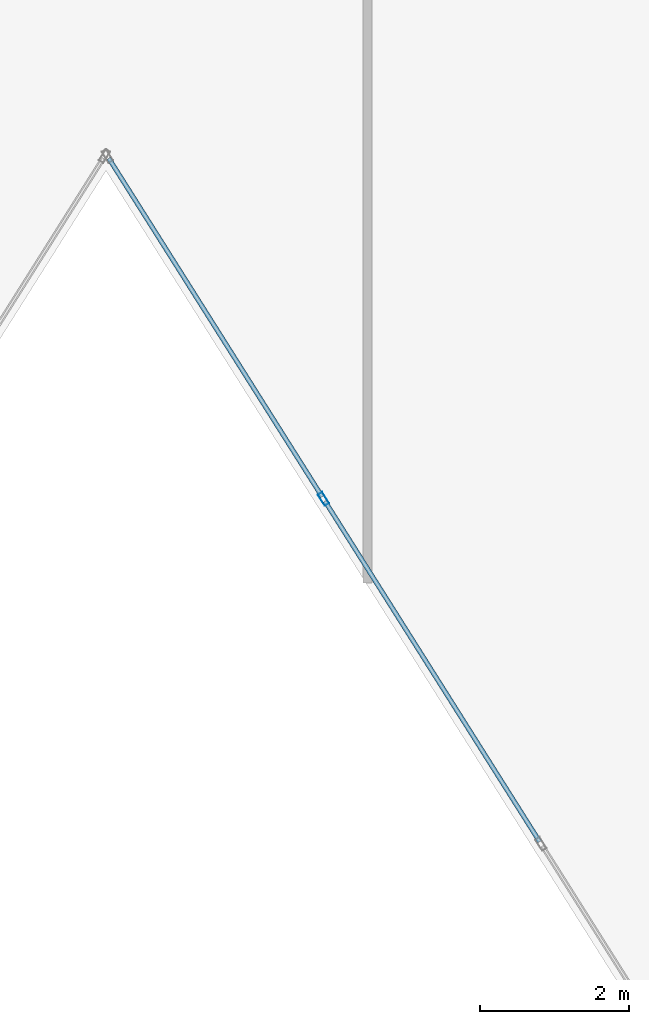
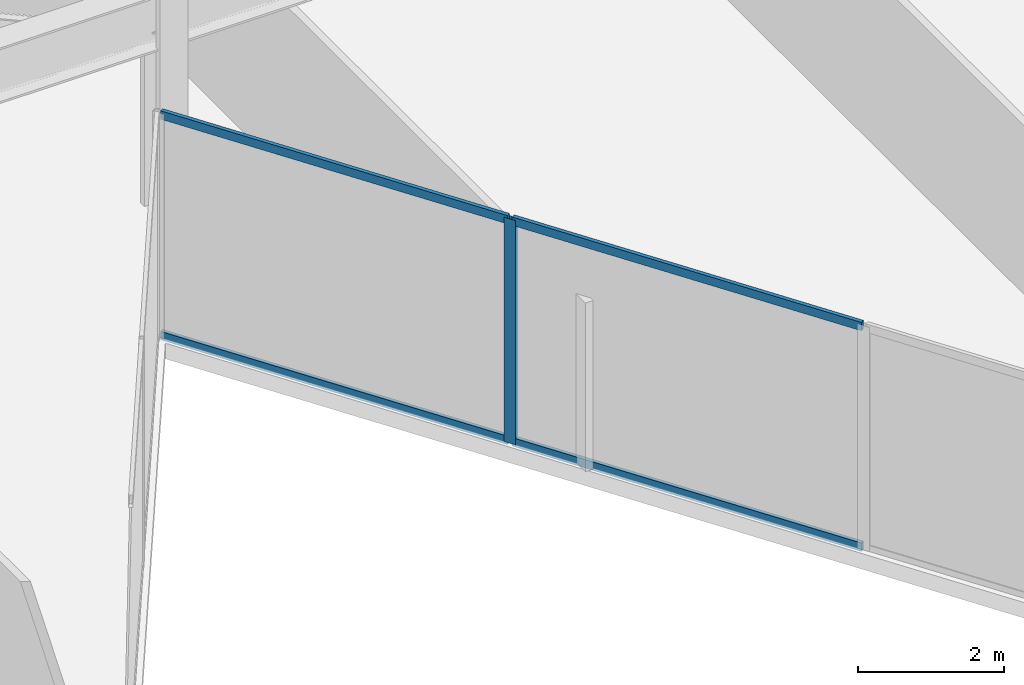
# One storey, part 15 of 25: 5 members, 1 element without a shape of its own.
"""IFC4 building model written with IfcOpenShell, lengths in metres."""

from ifc_helpers import new_model, si_unit, direction, frame, origin, origin_2d, place, context, subcontext, project, spatial, hollow_rectangle, extrude, material, layer, layer_set, material_profile, profile_set, type_object, element, aggregate, save


model = new_model("IFC4")

# Units and contexts
model_context = context("Model", 3, precision=1e-05, world=origin(), true_north=direction((0.0, 1.0)))
body_context = subcontext(model_context, "Body", "Model", "MODEL_VIEW")
ifc_project = project(units=[si_unit("LENGTHUNIT", "METRE"), si_unit("AREAUNIT", "SQUARE_METRE"), si_unit("VOLUMEUNIT", "CUBIC_METRE"), si_unit("PLANEANGLEUNIT", "RADIAN"), si_unit("MASSUNIT", "GRAM", prefix="KILO")], contexts=[model_context])

# Site, building, storey
site_placement = place(None, origin())
site = spatial("IfcSite", under=ifc_project, at=site_placement, CompositionType="ELEMENT")
building_placement = place(site_placement, origin())
building = spatial("IfcBuilding", under=site, at=building_placement, Name="Kravanh Interchange Tower", CompositionType="ELEMENT")
storey_placement = place(building_placement, frame((0.0, 0.0, 57.5)))
storey = spatial("IfcBuildingStorey", under=building, at=storey_placement, Name="L13", CompositionType="ELEMENT", Elevation=57.5)

# Curtain wall, members
ifc_material_1 = material(Name="Anodised Bronze Aluminium", Category="aluminium")
ifc_layer = layer(ifc_material_1, 0.179931640625)
ifc_layer_set = layer_set([ifc_layer], Name="Unitised Curtain Wall System CW-Z1 Lower Office")
curtain_wall_type = type_object("IfcCurtainWallType", Name="Unitised Curtain Wall System CW-Z1 Lower Office", PredefinedType="NOTDEFINED", material=ifc_layer_set)
curtain_wall_placement = place(storey_placement, origin())
curtain_wall = element("IfcCurtainWall", 1, at=curtain_wall_placement, inside=storey, type_object=curtain_wall_type, Name="L13 Unitised Curtain Wall CW-L13-04", PredefinedType="NOTDEFINED")
ifc_material_2 = material(Name="Anodised Bronze Aluminium", Category="aluminium")
ifc_material_profile_1 = material_profile(ifc_material_2, hollow_rectangle(XDim=0.070068359375, YDim=0.179931640625, WallThickness=0.00390625, at=origin_2d()), Name="ALU70X180X4")
ifc_profile_set_1 = profile_set([ifc_material_profile_1], Name="Anodised Bronze Aluminium")
member_type_1 = type_object("IfcMemberType", Name="Curtain Wall Mullion ALU70X180X4 Bronze", PredefinedType="MULLION", material=ifc_profile_set_1)
member_1_placement = place(storey_placement, frame((39.913330078125, 19.60400390625, 0.0), z_axis=(0.0, 0.0, 1.0), x_axis=(-0.845925530786, -0.53330103728, 0.0)))
member_1 = element("IfcMember", 2, at=member_1_placement, type_object=member_type_1, Name="CW-Z1 mullion 5", PredefinedType="MULLION", context=body_context, shape_type="SweptSolid", body=[
    extrude(hollow_rectangle(XDim=0.070068359375, YDim=0.179931640625, WallThickness=0.00390625, at=origin_2d()), origin(), (0.0, 0.0, 1.0), 3.739990234375),
])
ifc_material_3 = material(Name="Anodised Bronze Aluminium", Category="aluminium")
ifc_material_profile_2 = material_profile(ifc_material_3, hollow_rectangle(XDim=0.06005859375, YDim=0.139892578125, WallThickness=0.00390625, at=origin_2d()), Name="ALU60X140X4")
ifc_profile_set_2 = profile_set([ifc_material_profile_2], Name="Anodised Bronze Aluminium")
member_type_2 = type_object("IfcMemberType", Name="Curtain Wall Transom ALU60X140X4 Bronze", PredefinedType="USERDEFINED", material=ifc_profile_set_2)
member_2_placement = place(storey_placement, frame((42.807861328125, 15.0126953125, 0.030029296875), z_axis=(-0.533311487456, 0.84591894254, 0.0), x_axis=(-0.84591894254, -0.533311487456, 0.0)))
member_2 = element("IfcMember", 3, at=member_2_placement, type_object=member_type_2, Name="CW-Z1 transom 4.1", ObjectType="TRANSOM", PredefinedType="USERDEFINED", context=body_context, shape_type="SweptSolid", body=[
    extrude(hollow_rectangle(XDim=0.06005859375, YDim=0.139892578125, WallThickness=0.00390625, at=origin_2d()), origin(), (0.0, 0.0, 1.0), 5.392578125),
])
member_3_placement = place(storey_placement, frame((42.807861328125, 15.0126953125, 3.7099609375), z_axis=(-0.533311487456, 0.84591894254, 0.0), x_axis=(-0.84591894254, -0.533311487456, 0.0)))
member_3 = element("IfcMember", 4, at=member_3_placement, type_object=member_type_2, Name="CW-Z1 transom 4.2", ObjectType="TRANSOM", PredefinedType="USERDEFINED", context=body_context, shape_type="SweptSolid", body=[
    extrude(hollow_rectangle(XDim=0.06005859375, YDim=0.139892578125, WallThickness=0.00390625, at=origin_2d()), origin(), (0.0, 0.0, 1.0), 5.392578125),
])
member_4_placement = place(storey_placement, frame((39.89453125, 19.633544921875, 0.030029296875), z_axis=(-0.533288163518, 0.845933646719, 0.0), x_axis=(-0.845933646719, -0.533288163518, 0.0)))
member_4 = element("IfcMember", 5, at=member_4_placement, type_object=member_type_2, Name="CW-Z1 transom 5.1", ObjectType="TRANSOM", PredefinedType="USERDEFINED", context=body_context, shape_type="SweptSolid", body=[
    extrude(hollow_rectangle(XDim=0.06005859375, YDim=0.139892578125, WallThickness=0.00390625, at=origin_2d()), origin(), (0.0, 0.0, 1.0), 5.357666015625),
])
member_5_placement = place(storey_placement, frame((39.89453125, 19.633544921875, 3.7099609375), z_axis=(-0.533288163518, 0.845933646719, 0.0), x_axis=(-0.845933646719, -0.533288163518, 0.0)))
member_5 = element("IfcMember", 6, at=member_5_placement, type_object=member_type_2, Name="CW-Z1 transom 5.2", ObjectType="TRANSOM", PredefinedType="USERDEFINED", context=body_context, shape_type="SweptSolid", body=[
    extrude(hollow_rectangle(XDim=0.06005859375, YDim=0.139892578125, WallThickness=0.00390625, at=origin_2d()), origin(), (0.0, 0.0, 1.0), 5.357666015625),
])
aggregate(curtain_wall, [member_1, member_2, member_3, member_4, member_5])

save(model, "model.ifc")
